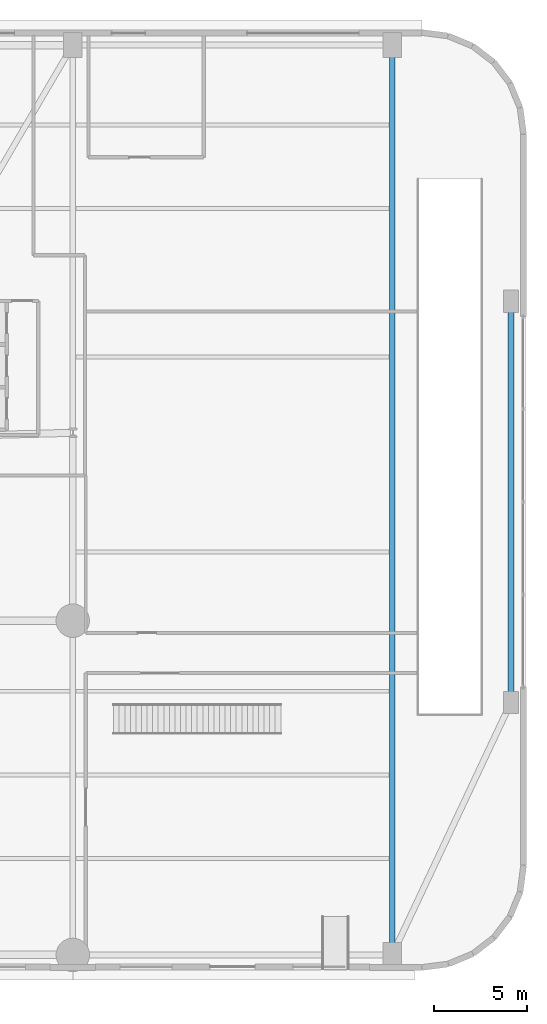
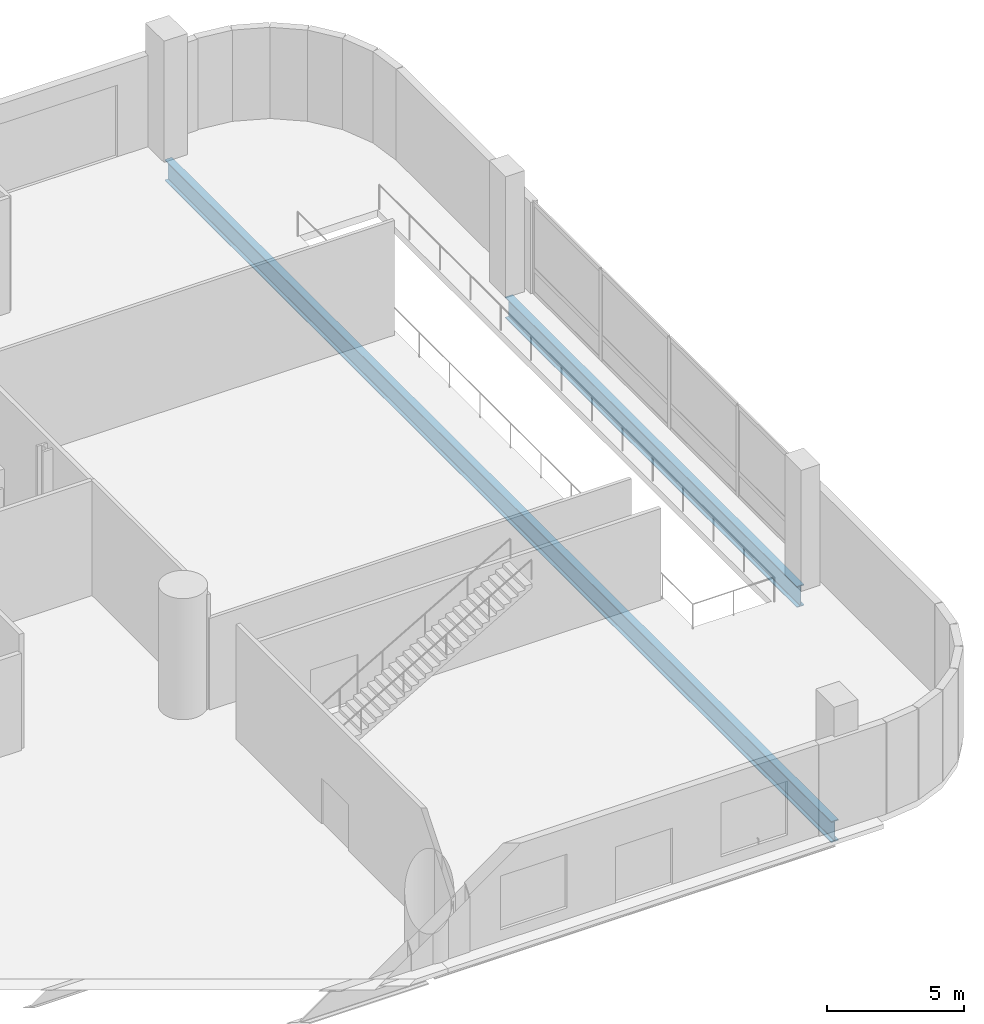
# One storey, part 13 of 26: 2 beams.
"""IFC4 building model written with IfcOpenShell, lengths in metres."""

from ifc_helpers import new_model, si_unit, direction, frame, origin, origin_2d, place, context, subcontext, project, spatial, i_section, extrude, material, material_profile, profile_set, type_object, element, save


model = new_model("IFC4")

# Units and contexts
model_context = context("Model", 3, precision=1e-05, world=origin(), true_north=direction((0.0, 1.0)))
body_context = subcontext(model_context, "Body", "Model", "MODEL_VIEW")
ifc_project = project(units=[si_unit("LENGTHUNIT", "METRE"), si_unit("AREAUNIT", "SQUARE_METRE"), si_unit("VOLUMEUNIT", "CUBIC_METRE"), si_unit("PLANEANGLEUNIT", "RADIAN"), si_unit("MASSUNIT", "GRAM", prefix="KILO")], contexts=[model_context])

# Site, building, storey
site_placement = place(None, origin())
site = spatial("IfcSite", under=ifc_project, at=site_placement, CompositionType="ELEMENT")
building_placement = place(site_placement, origin())
building = spatial("IfcBuilding", under=site, at=building_placement, Name="Varnelok Gate Tower", CompositionType="ELEMENT")
storey_placement = place(building_placement, origin())
storey = spatial("IfcBuildingStorey", under=building, at=storey_placement, Name="L00", CompositionType="ELEMENT", Elevation=0.0)

# Beams
ifc_material = material(Name="Structural Steel ASTM A992 Grade 50", Category="steel")
ifc_material_profile = material_profile(ifc_material, i_section(OverallWidth=0.30810546875, OverallDepth=0.943115234375, WebThickness=0.022216796875, FlangeThickness=0.039794921875, FilletRadius=0.02587890625, at=origin_2d()), Name="W36X232")
ifc_profile_set = profile_set([ifc_material_profile], Name="Structural Steel ASTM A992 Grade 50")
beam_type = type_object("IfcBeamType", Name="BM-PRI-W36X232", PredefinedType="BEAM", material=ifc_profile_set)
beam_1_placement = place(storey_placement, frame((77.60009765625, 14.5400390625, -0.79150390625), z_axis=(0.0, 1.0, 0.0), x_axis=(-1.0, 0.0, 0.0)))
element("IfcBeam", 1, at=beam_1_placement, inside=storey, type_object=beam_type, Name="L00 Podium Primary Girder 7", PredefinedType="BEAM", context=body_context, shape_type="SweptSolid", body=[
    extrude(i_section(OverallWidth=0.30810546875, OverallDepth=0.943115234375, WebThickness=0.022216796875, FlangeThickness=0.039794921875, FilletRadius=0.02587890625, at=origin_2d()), origin(), (0.0, 0.0, 1.0), 21.320068359375),
])
beam_2_placement = place(storey_placement, frame((71.199951171875, 0.93994140625, -0.79150390625), z_axis=(0.0, 1.0, 0.0), x_axis=(-1.0, 0.0, 0.0)))
element("IfcBeam", 2, at=beam_2_placement, inside=storey, type_object=beam_type, Name="L00 Podium Primary Girder 15", PredefinedType="BEAM", context=body_context, shape_type="SweptSolid", body=[
    extrude(i_section(OverallWidth=0.30810546875, OverallDepth=0.943115234375, WebThickness=0.022216796875, FlangeThickness=0.039794921875, FilletRadius=0.02587890625, at=origin_2d()), origin(), (0.0, 0.0, 1.0), 48.719970703125),
])

save(model, "model.ifc")
